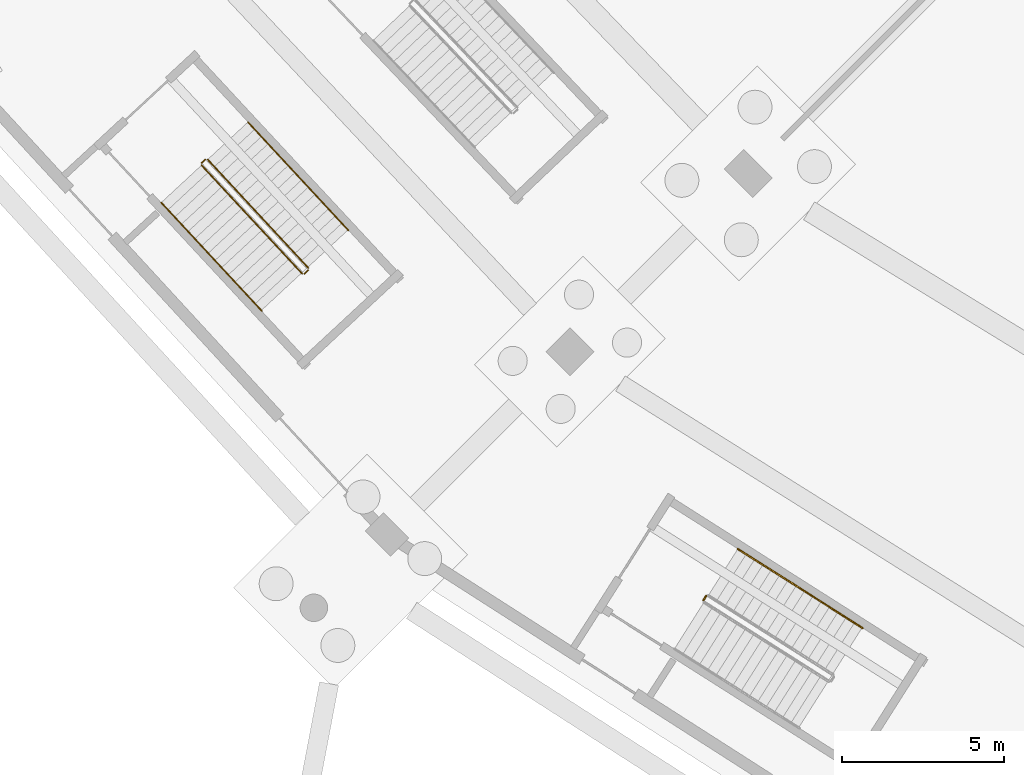
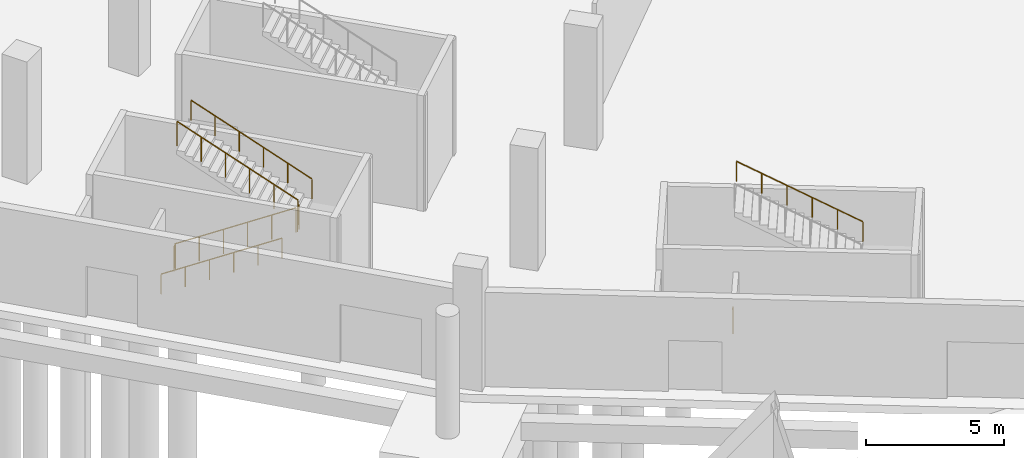
# One storey, part 59 of 103: 8 railings.
"""IFC4 building model written with IfcOpenShell, lengths in metres."""

from ifc_helpers import new_model, si_unit, direction, frame, origin, origin_2d, place, context, subcontext, project, spatial, circle, extrude, material, type_object, element, save


model = new_model("IFC4")

# Units and contexts
model_context = context("Model", 3, precision=1e-05, world=origin(), true_north=direction((0.0, 1.0)))
body_context = subcontext(model_context, "Body", "Model", "MODEL_VIEW")
ifc_project = project(units=[si_unit("LENGTHUNIT", "METRE"), si_unit("AREAUNIT", "SQUARE_METRE"), si_unit("VOLUMEUNIT", "CUBIC_METRE"), si_unit("PLANEANGLEUNIT", "RADIAN"), si_unit("MASSUNIT", "GRAM", prefix="KILO")], contexts=[model_context])

# Site, building, storey
site_placement = place(None, origin())
site = spatial("IfcSite", under=ifc_project, at=site_placement, CompositionType="ELEMENT")
building_placement = place(site_placement, origin())
building = spatial("IfcBuilding", under=site, at=building_placement, Name="Zevraka Park Crest Stadium", CompositionType="ELEMENT")
storey_placement = place(building_placement, origin())
storey = spatial("IfcBuildingStorey", under=building, at=storey_placement, Name="L00", CompositionType="ELEMENT", Elevation=0.0)

# Railings
ifc_material_1 = material(Name="Powder-coated tubular steel stairwell guard", Category="steel")
railing_type_1 = type_object("IfcRailingType", Name="GR03", PredefinedType="GUARDRAIL", material=ifc_material_1)
railing_1_placement = place(storey_placement, frame((42.410400390625, 50.18212890625, 0.168701171875)))
element("IfcRailing", 1, at=railing_1_placement, inside=storey, type_object=railing_type_1, Name="L00 ST15 stair guard 1", PredefinedType="GUARDRAIL", context=body_context, shape_type="SweptSolid", body=[
    extrude(circle(Radius=0.02392578125, at=origin_2d()), frame((0.0, 0.0, 1.076171875), z_axis=(0.595200057944, -0.641379775313, 0.484116592199), x_axis=(0.733002525421, 0.680225916682, 0.0)), (0.0, 0.0, 1.0), 5.228515625),
    extrude(circle(Radius=0.02099609375, at=origin_2d()), origin(), (0.0, 0.0, 1.0), 1.052001953125),
    extrude(circle(Radius=0.02099609375, at=origin_2d()), frame((0.622314453125, -0.670654296875, 0.50634765625)), (0.0, 0.0, 1.0), 1.052001953125),
    extrude(circle(Radius=0.02099609375, at=origin_2d()), frame((1.244873046875, -1.34130859375, 1.012451171875)), (0.0, 0.0, 1.0), 1.052001953125),
    extrude(circle(Radius=0.02099609375, at=origin_2d()), frame((1.8671875, -2.01220703125, 1.518798828125)), (0.0, 0.0, 1.0), 1.052001953125),
    extrude(circle(Radius=0.02099609375, at=origin_2d()), frame((2.48974609375, -2.682861328125, 2.02490234375)), (0.0, 0.0, 1.0), 1.052001953125),
    extrude(circle(Radius=0.02099609375, at=origin_2d()), frame((3.112060546875, -3.353515625, 2.53125)), (0.0, 0.0, 1.0), 1.052001953125),
])
railing_2_placement = place(storey_placement, frame((45.59326171875, 46.825927734375, 2.699951171875)))
element("IfcRailing", 2, at=railing_2_placement, inside=storey, type_object=railing_type_1, Name="L00 ST15 stair guard 2", PredefinedType="GUARDRAIL", context=body_context, shape_type="SweptSolid", body=[
    extrude(circle(Radius=0.02392578125, at=origin_2d()), frame((0.0, 0.0, 1.076171875), z_axis=(0.732576022975, 0.680685221348, 0.0), x_axis=(-0.680685221348, 0.732576022975, 0.0)), (0.0, 0.0, 1.0), 0.159912109375),
    extrude(circle(Radius=0.02099609375, at=origin_2d()), origin(), (0.0, 0.0, 1.0), 1.052001953125),
    extrude(circle(Radius=0.02099609375, at=origin_2d()), frame((0.1171875, 0.10888671875, 0.0)), (0.0, 0.0, 1.0), 1.052001953125),
])
railing_3_placement = place(storey_placement, frame((45.713134765625, 47.005615234375, 2.86865234375)))
element("IfcRailing", 3, at=railing_3_placement, inside=storey, type_object=railing_type_1, Name="L00 ST15 stair guard 3", PredefinedType="GUARDRAIL", context=body_context, shape_type="SweptSolid", body=[
    extrude(circle(Radius=0.02392578125, at=origin_2d()), frame((0.0, 0.0, 1.076171875), z_axis=(-0.595248033516, 0.641334463473, 0.484117635041), x_axis=(-0.732951223976, -0.680281194266, 0.0)), (0.0, 0.0, 1.0), 5.228515625),
    extrude(circle(Radius=0.02099609375, at=origin_2d()), origin(), (0.0, 0.0, 1.0), 1.052001953125),
    extrude(circle(Radius=0.02099609375, at=origin_2d()), frame((-0.62255859375, 0.670654296875, 0.50634765625)), (0.0, 0.0, 1.0), 1.052001953125),
    extrude(circle(Radius=0.02099609375, at=origin_2d()), frame((-1.244873046875, 1.34130859375, 1.012451171875)), (0.0, 0.0, 1.0), 1.052001953125),
    extrude(circle(Radius=0.02099609375, at=origin_2d()), frame((-1.867431640625, 2.011962890625, 1.518798828125)), (0.0, 0.0, 1.0), 1.052001953125),
    extrude(circle(Radius=0.02099609375, at=origin_2d()), frame((-2.48974609375, 2.6826171875, 2.02490234375)), (0.0, 0.0, 1.0), 1.052001953125),
    extrude(circle(Radius=0.02099609375, at=origin_2d()), frame((-3.1123046875, 3.353271484375, 2.53125)), (0.0, 0.0, 1.0), 1.052001953125),
])
railing_4_placement = place(storey_placement, frame((42.4130859375, 50.252685546875, 0.0)))
element("IfcRailing", 4, at=railing_4_placement, inside=storey, type_object=railing_type_1, Name="L00 ST15 stair guard 4", PredefinedType="GUARDRAIL", context=body_context, shape_type="SweptSolid", body=[
    extrude(circle(Radius=0.02392578125, at=origin_2d()), frame((0.0, 0.0, 1.076171875), z_axis=(0.732576022975, 0.680685221348, 0.0), x_axis=(-0.680685221348, 0.732576022975, 0.0)), (0.0, 0.0, 1.0), 0.159912109375),
    extrude(circle(Radius=0.02099609375, at=origin_2d()), origin(), (0.0, 0.0, 1.0), 1.052001953125),
    extrude(circle(Radius=0.02099609375, at=origin_2d()), frame((0.1171875, 0.10888671875, 0.0)), (0.0, 0.0, 1.0), 1.052001953125),
])
railing_5_placement = place(storey_placement, frame((57.93701171875, 36.726318359375, 0.0)))
element("IfcRailing", 5, at=railing_5_placement, inside=storey, type_object=railing_type_1, Name="L00 ST16 stair guard 4", PredefinedType="GUARDRAIL", context=body_context, shape_type="SweptSolid", body=[
    extrude(circle(Radius=0.02392578125, at=origin_2d()), frame((0.0, 0.0, 1.076171875), z_axis=(0.535197175111, 0.844727165275, 0.0), x_axis=(-0.844727165275, 0.535197175111, 0.0)), (0.0, 0.0, 1.0), 0.16015625),
    extrude(circle(Radius=0.02099609375, at=origin_2d()), origin(), (0.0, 0.0, 1.0), 1.052001953125),
    extrude(circle(Radius=0.02099609375, at=origin_2d()), frame((0.085693359375, 0.13525390625, 0.0)), (0.0, 0.0, 1.0), 1.052001953125),
])
ifc_material_2 = material(Name="Brushed stainless steel continuous handrail", Category="steel")
railing_type_2 = type_object("IfcRailingType", Name="HR01", PredefinedType="HANDRAIL", material=ifc_material_2)
railing_6_placement = place(storey_placement, frame((41.164306640625, 49.025634765625, 0.168701171875)))
element("IfcRailing", 6, at=railing_6_placement, inside=storey, type_object=railing_type_2, Name="L00 ST15 stair handrail 1", PredefinedType="HANDRAIL", context=body_context, shape_type="SweptSolid", body=[
    extrude(circle(Radius=0.02392578125, at=origin_2d()), frame((0.0, 0.0, 0.8759765625), z_axis=(0.595200057944, -0.641379775313, 0.484116592199), x_axis=(0.733002525421, 0.680225916682, 0.0)), (0.0, 0.0, 1.0), 5.228515625),
    extrude(circle(Radius=0.02099609375, at=origin_2d()), origin(), (0.0, 0.0, 1.0), 0.851806640625),
    extrude(circle(Radius=0.02099609375, at=origin_2d()), frame((0.622314453125, -0.670654296875, 0.50634765625)), (0.0, 0.0, 1.0), 0.851806640625),
    extrude(circle(Radius=0.02099609375, at=origin_2d()), frame((1.244873046875, -1.34130859375, 1.012451171875)), (0.0, 0.0, 1.0), 0.851806640625),
    extrude(circle(Radius=0.02099609375, at=origin_2d()), frame((1.8671875, -2.01220703125, 1.518798828125)), (0.0, 0.0, 1.0), 0.851806640625),
    extrude(circle(Radius=0.02099609375, at=origin_2d()), frame((2.48974609375, -2.682861328125, 2.02490234375)), (0.0, 0.0, 1.0), 0.851806640625),
    extrude(circle(Radius=0.02099609375, at=origin_2d()), frame((3.112060546875, -3.353515625, 2.53125)), (0.0, 0.0, 1.0), 0.851806640625),
])
railing_7_placement = place(storey_placement, frame((46.959228515625, 48.161865234375, 2.86865234375)))
element("IfcRailing", 7, at=railing_7_placement, inside=storey, type_object=railing_type_2, Name="L00 ST15 stair handrail 2", PredefinedType="HANDRAIL", context=body_context, shape_type="SweptSolid", body=[
    extrude(circle(Radius=0.02392578125, at=origin_2d()), frame((0.0, 0.0, 0.8759765625), z_axis=(-0.595230208302, 0.641361950207, 0.484103137722), x_axis=(-0.732975918341, -0.680254586998, 0.0)), (0.0, 0.0, 1.0), 5.228759765625),
    extrude(circle(Radius=0.02099609375, at=origin_2d()), origin(), (0.0, 0.0, 1.0), 0.851806640625),
    extrude(circle(Radius=0.02099609375, at=origin_2d()), frame((-0.62255859375, 0.670654296875, 0.50634765625)), (0.0, 0.0, 1.0), 0.851806640625),
    extrude(circle(Radius=0.02099609375, at=origin_2d()), frame((-1.244873046875, 1.34130859375, 1.012451171875)), (0.0, 0.0, 1.0), 0.851806640625),
    extrude(circle(Radius=0.02099609375, at=origin_2d()), frame((-1.867431640625, 2.01220703125, 1.518798828125)), (0.0, 0.0, 1.0), 0.851806640625),
    extrude(circle(Radius=0.02099609375, at=origin_2d()), frame((-2.48974609375, 2.682861328125, 2.02490234375)), (0.0, 0.0, 1.0), 0.851806640625),
    extrude(circle(Radius=0.02099609375, at=origin_2d()), frame((-3.1123046875, 3.353515625, 2.53125)), (0.0, 0.0, 1.0), 0.851806640625),
])
railing_8_placement = place(storey_placement, frame((62.86572265625, 35.861572265625, 2.86865234375)))
element("IfcRailing", 8, at=railing_8_placement, inside=storey, type_object=railing_type_2, Name="L00 ST16 stair handrail 2", PredefinedType="HANDRAIL", context=body_context, shape_type="SweptSolid", body=[
    extrude(circle(Radius=0.02392578125, at=origin_2d()), frame((0.0, 0.0, 0.8759765625), z_axis=(-0.738861952771, 0.468745901407, 0.48410773043), x_axis=(-0.535704457002, -0.844405551111, 0.0)), (0.0, 0.0, 1.0), 5.228759765625),
    extrude(circle(Radius=0.02099609375, at=origin_2d()), origin(), (0.0, 0.0, 1.0), 0.851806640625),
    extrude(circle(Radius=0.02099609375, at=origin_2d()), frame((-0.772705078125, 0.490234375, 0.50634765625)), (0.0, 0.0, 1.0), 0.851806640625),
    extrude(circle(Radius=0.02099609375, at=origin_2d()), frame((-1.54541015625, 0.98046875, 1.012451171875)), (0.0, 0.0, 1.0), 0.851806640625),
    extrude(circle(Radius=0.02099609375, at=origin_2d()), frame((-2.31787109375, 1.470458984375, 1.518798828125)), (0.0, 0.0, 1.0), 0.851806640625),
    extrude(circle(Radius=0.02099609375, at=origin_2d()), frame((-3.090576171875, 1.960693359375, 2.02490234375)), (0.0, 0.0, 1.0), 0.851806640625),
    extrude(circle(Radius=0.02099609375, at=origin_2d()), frame((-3.86328125, 2.450927734375, 2.53125)), (0.0, 0.0, 1.0), 0.851806640625),
])

save(model, "model.ifc")
